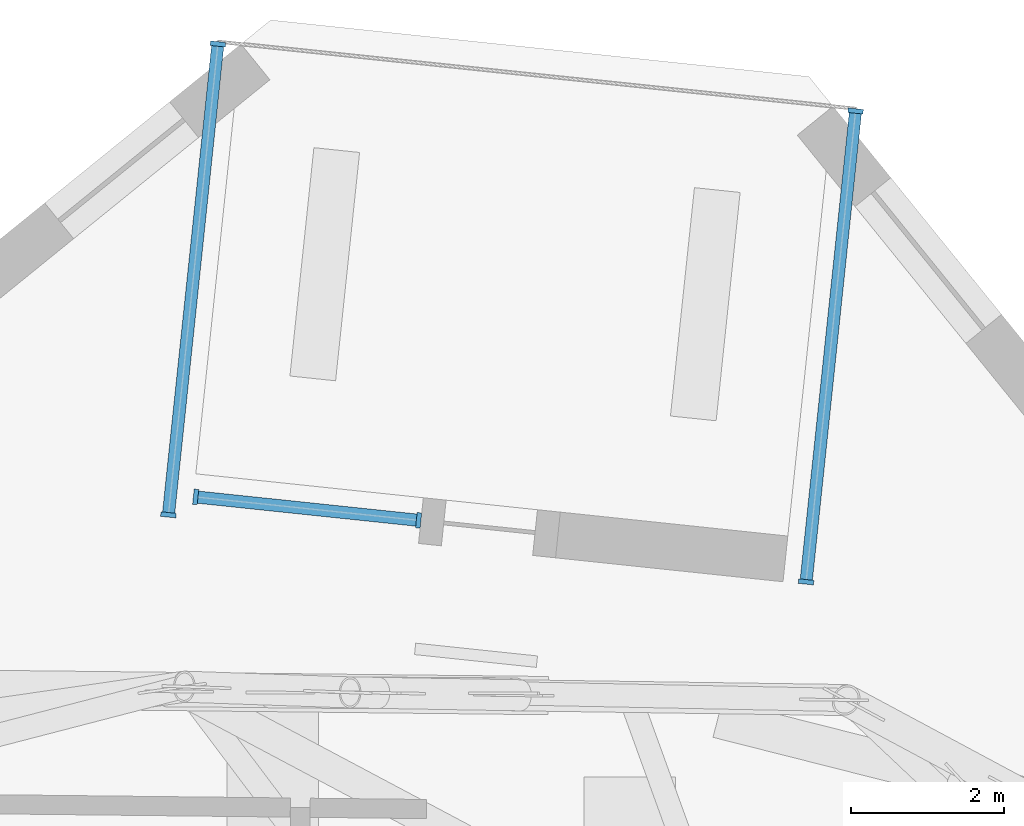
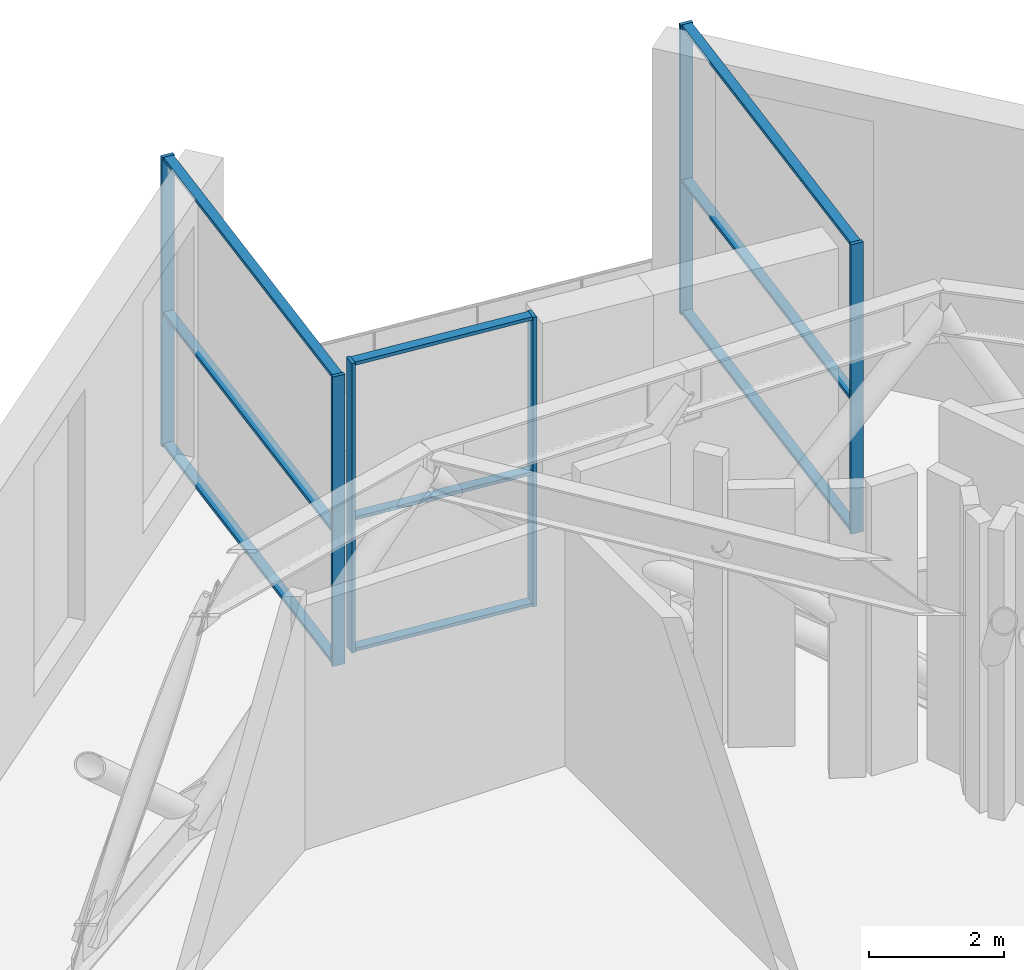
# One storey, part 5 of 17: 15 members, 3 elements without a shape of their own.
"""IFC4 building model written with IfcOpenShell, lengths in metres."""

from ifc_helpers import new_model, si_unit, direction, frame, origin, origin_2d, place, context, subcontext, project, spatial, rectangle, extrude, material, material_profile, profile_set, type_object, element, aggregate, save


model = new_model("IFC4")

# Units and contexts
model_context = context("Model", 3, precision=1e-05, world=origin(), true_north=direction((0.0, 1.0)))
body_context = subcontext(model_context, "Body", "Model", "MODEL_VIEW")
ifc_project = project(units=[si_unit("LENGTHUNIT", "METRE"), si_unit("AREAUNIT", "SQUARE_METRE"), si_unit("VOLUMEUNIT", "CUBIC_METRE"), si_unit("PLANEANGLEUNIT", "RADIAN"), si_unit("MASSUNIT", "GRAM", prefix="KILO")], contexts=[model_context])

# Site, building, storey
site_placement = place(None, origin())
site = spatial("IfcSite", under=ifc_project, at=site_placement, CompositionType="ELEMENT")
building_placement = place(site_placement, origin())
building = spatial("IfcBuilding", under=site, at=building_placement, Name="Dilmun Exchange Tower", CompositionType="ELEMENT")
storey_placement = place(building_placement, frame((0.0, 0.0, 183.699951171875)))
storey = spatial("IfcBuildingStorey", under=building, at=storey_placement, Name="L43", CompositionType="ELEMENT", Elevation=183.699951171875)

# Curtain wall, members
ifc_material_1 = material(Name="Anodised aluminium and clear glass", Category="aluminium")
curtain_wall_type = type_object("IfcCurtainWallType", Name="Garden corner glazing", PredefinedType="NOTDEFINED", material=ifc_material_1)
curtain_wall_1_placement = place(storey_placement, origin())
curtain_wall_1 = element("IfcCurtainWall", 1, at=curtain_wall_1_placement, inside=storey, type_object=curtain_wall_type, Name="Garden corner glazing run GC1.1", PredefinedType="NOTDEFINED")
ifc_material_2 = material(Name="Anodised aluminium", Category="aluminium")
ifc_material_profile_1 = material_profile(ifc_material_2, rectangle(XDim=0.199951171875, YDim=0.06005859375, at=origin_2d()), Name="AL 60x200")
ifc_profile_set_1 = profile_set([ifc_material_profile_1], Name="Anodised aluminium")
member_type_1 = type_object("IfcMemberType", Name="Garden corner glazing mullion 60 x 200", PredefinedType="MULLION", material=ifc_profile_set_1)
member_1_placement = place(storey_placement, frame((10.456787109375, 35.060791015625, 0.0), z_axis=(0.0, 0.0, 1.0), x_axis=(0.994522370173, -0.104523945704, 0.0)))
member_1 = element("IfcMember", 2, at=member_1_placement, type_object=member_type_1, Name="GC1.1 mullion 1", PredefinedType="MULLION", context=body_context, shape_type="SweptSolid", body=[
    extrude(rectangle(XDim=0.199951171875, YDim=0.06005859375, at=origin_2d()), origin(), (0.0, 0.0, 1.0), 5.219970703125),
])
member_2_placement = place(storey_placement, frame((9.81005859375, 28.908203125, 0.0), z_axis=(0.0, 0.0, 1.0), x_axis=(0.994522370173, -0.104523945704, 0.0)))
member_2 = element("IfcMember", 3, at=member_2_placement, type_object=member_type_1, Name="GC1.1 mullion 2", PredefinedType="MULLION", context=body_context, shape_type="SweptSolid", body=[
    extrude(rectangle(XDim=0.199951171875, YDim=0.06005859375, at=origin_2d()), origin(), (0.0, 0.0, 1.0), 5.219970703125),
])

curtain_wall_2_placement = place(storey_placement, origin())
curtain_wall_2 = element("IfcCurtainWall", 4, at=curtain_wall_2_placement, inside=storey, type_object=curtain_wall_type, Name="Garden corner glazing run GC2.3", PredefinedType="NOTDEFINED")
member_3_placement = place(storey_placement, frame((4.747314453125, 29.7119140625, 0.0), z_axis=(0.0, 0.0, 1.0), x_axis=(-0.104510638231, -0.994523768694, 0.0)))
member_3 = element("IfcMember", 5, at=member_3_placement, type_object=member_type_1, Name="GC2.3 mullion 1", PredefinedType="MULLION", context=body_context, shape_type="SweptSolid", body=[
    extrude(rectangle(XDim=0.199951171875, YDim=0.06005859375, at=origin_2d()), origin(), (0.0, 0.0, 1.0), 5.219970703125),
])
member_4_placement = place(storey_placement, frame((1.834228515625, 30.01806640625, 0.0), z_axis=(0.0, 0.0, 1.0), x_axis=(-0.104510638231, -0.994523768694, 0.0)))
member_4 = element("IfcMember", 6, at=member_4_placement, type_object=member_type_1, Name="GC2.3 mullion 2", PredefinedType="MULLION", context=body_context, shape_type="SweptSolid", body=[
    extrude(rectangle(XDim=0.199951171875, YDim=0.06005859375, at=origin_2d()), origin(), (0.0, 0.0, 1.0), 5.219970703125),
])

curtain_wall_3_placement = place(storey_placement, origin())
curtain_wall_3 = element("IfcCurtainWall", 7, at=curtain_wall_3_placement, inside=storey, type_object=curtain_wall_type, Name="Garden corner glazing run GC3.1", PredefinedType="NOTDEFINED")
member_5_placement = place(storey_placement, frame((1.477783203125, 29.783935546875, 0.0), z_axis=(0.0, 0.0, 1.0), x_axis=(-0.994520880826, 0.10453811554, 0.0)))
member_5 = element("IfcMember", 8, at=member_5_placement, type_object=member_type_1, Name="GC3.1 mullion 1", PredefinedType="MULLION", context=body_context, shape_type="SweptSolid", body=[
    extrude(rectangle(XDim=0.199951171875, YDim=0.06005859375, at=origin_2d()), origin(), (0.0, 0.0, 1.0), 5.219970703125),
])
member_6_placement = place(storey_placement, frame((2.12451171875, 35.9365234375, 0.0), z_axis=(0.0, 0.0, 1.0), x_axis=(-0.994520880826, 0.10453811554, 0.0)))
member_6 = element("IfcMember", 9, at=member_6_placement, type_object=member_type_1, Name="GC3.1 mullion 2", PredefinedType="MULLION", context=body_context, shape_type="SweptSolid", body=[
    extrude(rectangle(XDim=0.199951171875, YDim=0.06005859375, at=origin_2d()), origin(), (0.0, 0.0, 1.0), 5.219970703125),
])

# Member
ifc_material_profile_2 = material_profile(ifc_material_2, rectangle(XDim=0.159912109375, YDim=0.06005859375, at=origin_2d()), Name="AL 60x160")
ifc_profile_set_2 = profile_set([ifc_material_profile_2], Name="Anodised aluminium")
member_type_2 = type_object("IfcMemberType", Name="Garden corner glazing transom 60 x 160", PredefinedType="USERDEFINED", material=ifc_profile_set_2)
member_7_placement = place(storey_placement, frame((10.45361328125, 35.031005859375, 0.030029296875), z_axis=(-0.104525057914, -0.99452225328, 0.0), x_axis=(0.99452225328, -0.104525057914, 0.0)))
member_7 = element("IfcMember", 10, at=member_7_placement, type_object=member_type_2, Name="GC1.1 transom 1.1", ObjectType="TRANSOM", PredefinedType="USERDEFINED", context=body_context, shape_type="SweptSolid", body=[
    extrude(rectangle(XDim=0.159912109375, YDim=0.06005859375, at=origin_2d()), origin(), (0.0, 0.0, 1.0), 6.12646484375),
])

member_8_placement = place(storey_placement, frame((10.45361328125, 35.031005859375, 2.400146484375), z_axis=(-0.104525057914, -0.99452225328, 0.0), x_axis=(0.99452225328, -0.104525057914, 0.0)))
member_8 = element("IfcMember", 11, at=member_8_placement, type_object=member_type_2, Name="GC1.1 transom 1.2", ObjectType="TRANSOM", PredefinedType="USERDEFINED", context=body_context, shape_type="SweptSolid", body=[
    extrude(rectangle(XDim=0.159912109375, YDim=0.06005859375, at=origin_2d()), origin(), (0.0, 0.0, 1.0), 6.12646484375),
])

member_9_placement = place(storey_placement, frame((10.45361328125, 35.031005859375, 5.18994140625), z_axis=(-0.104525057914, -0.99452225328, 0.0), x_axis=(0.99452225328, -0.104525057914, 0.0)))
member_9 = element("IfcMember", 12, at=member_9_placement, type_object=member_type_2, Name="GC1.1 transom 1.3", ObjectType="TRANSOM", PredefinedType="USERDEFINED", context=body_context, shape_type="SweptSolid", body=[
    extrude(rectangle(XDim=0.159912109375, YDim=0.06005859375, at=origin_2d()), origin(), (0.0, 0.0, 1.0), 6.12646484375),
])

aggregate(curtain_wall_1, [member_1, member_2, member_7, member_8, member_9])

member_10_placement = place(storey_placement, frame((4.717529296875, 29.715087890625, 0.030029296875), z_axis=(-0.994525948552, 0.10448989261, 0.0), x_axis=(-0.10448989261, -0.994525948552, 0.0)))
member_10 = element("IfcMember", 13, at=member_10_placement, type_object=member_type_2, Name="GC2.3 transom 1.1", ObjectType="TRANSOM", PredefinedType="USERDEFINED", context=body_context, shape_type="SweptSolid", body=[
    extrude(rectangle(XDim=0.159912109375, YDim=0.06005859375, at=origin_2d()), origin(), (0.0, 0.0, 1.0), 2.869140625),
])

member_11_placement = place(storey_placement, frame((4.717529296875, 29.715087890625, 2.400146484375), z_axis=(-0.994525948552, 0.10448989261, 0.0), x_axis=(-0.10448989261, -0.994525948552, 0.0)))
member_11 = element("IfcMember", 14, at=member_11_placement, type_object=member_type_2, Name="GC2.3 transom 1.2", ObjectType="TRANSOM", PredefinedType="USERDEFINED", context=body_context, shape_type="SweptSolid", body=[
    extrude(rectangle(XDim=0.159912109375, YDim=0.06005859375, at=origin_2d()), origin(), (0.0, 0.0, 1.0), 2.869140625),
])

member_12_placement = place(storey_placement, frame((4.717529296875, 29.715087890625, 5.18994140625), z_axis=(-0.994525948552, 0.10448989261, 0.0), x_axis=(-0.10448989261, -0.994525948552, 0.0)))
member_12 = element("IfcMember", 15, at=member_12_placement, type_object=member_type_2, Name="GC2.3 transom 1.3", ObjectType="TRANSOM", PredefinedType="USERDEFINED", context=body_context, shape_type="SweptSolid", body=[
    extrude(rectangle(XDim=0.159912109375, YDim=0.06005859375, at=origin_2d()), origin(), (0.0, 0.0, 1.0), 2.869140625),
])

aggregate(curtain_wall_2, [member_3, member_4, member_10, member_11, member_12])

member_13_placement = place(storey_placement, frame((1.48095703125, 29.813720703125, 0.030029296875), z_axis=(0.104525057914, 0.99452225328, 0.0), x_axis=(-0.99452225328, 0.104525057914, 0.0)))
member_13 = element("IfcMember", 16, at=member_13_placement, type_object=member_type_2, Name="GC3.1 transom 1.1", ObjectType="TRANSOM", PredefinedType="USERDEFINED", context=body_context, shape_type="SweptSolid", body=[
    extrude(rectangle(XDim=0.159912109375, YDim=0.06005859375, at=origin_2d()), origin(), (0.0, 0.0, 1.0), 6.12646484375),
])

member_14_placement = place(storey_placement, frame((1.48095703125, 29.813720703125, 2.400146484375), z_axis=(0.104525057914, 0.99452225328, 0.0), x_axis=(-0.99452225328, 0.104525057914, 0.0)))
member_14 = element("IfcMember", 17, at=member_14_placement, type_object=member_type_2, Name="GC3.1 transom 1.2", ObjectType="TRANSOM", PredefinedType="USERDEFINED", context=body_context, shape_type="SweptSolid", body=[
    extrude(rectangle(XDim=0.159912109375, YDim=0.06005859375, at=origin_2d()), origin(), (0.0, 0.0, 1.0), 6.12646484375),
])

member_15_placement = place(storey_placement, frame((1.48095703125, 29.813720703125, 5.18994140625), z_axis=(0.104525057914, 0.99452225328, 0.0), x_axis=(-0.99452225328, 0.104525057914, 0.0)))
member_15 = element("IfcMember", 18, at=member_15_placement, type_object=member_type_2, Name="GC3.1 transom 1.3", ObjectType="TRANSOM", PredefinedType="USERDEFINED", context=body_context, shape_type="SweptSolid", body=[
    extrude(rectangle(XDim=0.159912109375, YDim=0.06005859375, at=origin_2d()), origin(), (0.0, 0.0, 1.0), 6.12646484375),
])

aggregate(curtain_wall_3, [member_5, member_6, member_13, member_14, member_15])

save(model, "model.ifc")
